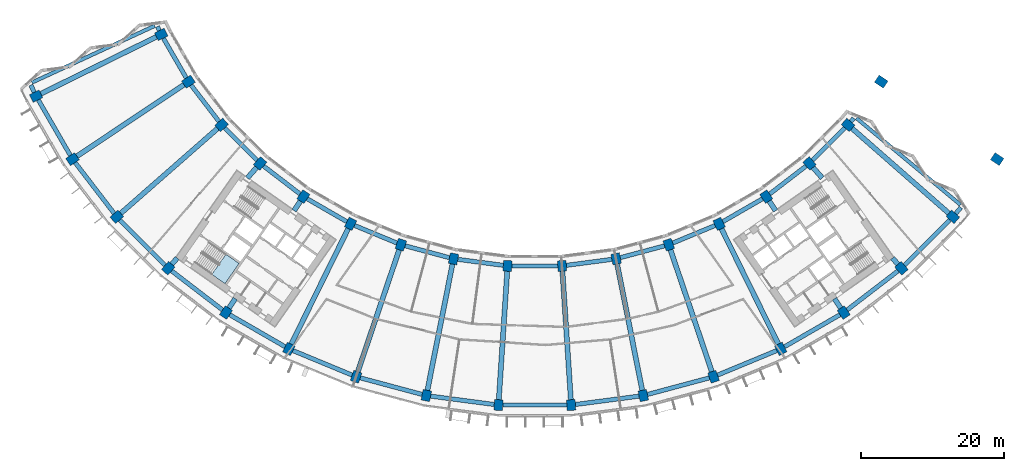
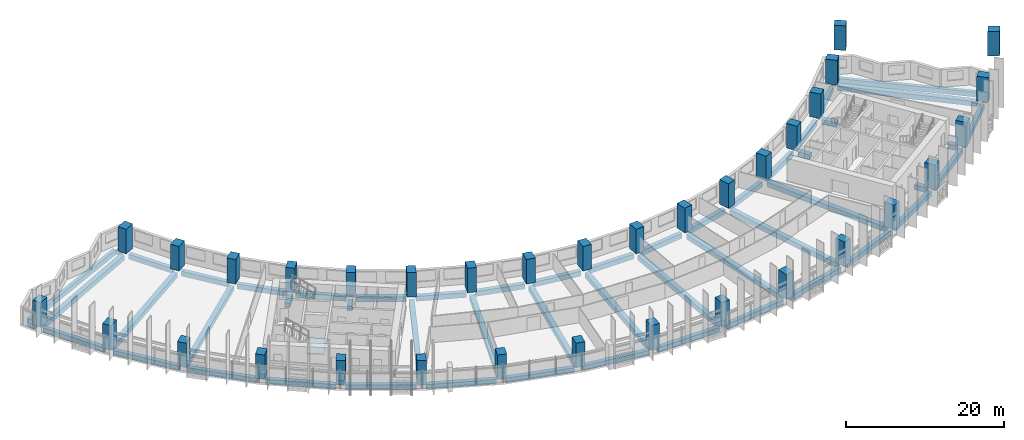
# One storey, part 1 of 30: 56 beams, 34 columns, 1 slab, 1 element without a shape of its own.
"""IFC4 building model written with IfcOpenShell, lengths in metres."""

import ifcopenshell
import ifcopenshell.guid

model = None  # the IFC model being written
_history = None  # IfcOwnerHistory: only IFC2X3 demands one
_inside = {}  # id of a spatial element -> (the spatial element, [elements in it])
_under = {}  # id of a project, library or spatial element -> (it, [spatial elements below it])
_declared = {}  # id of a project -> (the project, [libraries it declares])
_typed = {}  # id of a type object -> (the type object, [elements of that type])
_made_of = {}  # id of a material, layer set ... -> (it, [elements and type objects made of it])


def new_model(schema):
    """Start an empty IFC model of exactly this schema.

    Asked for "IFC4X3", IfcOpenShell would pick the latest addendum, in which some entities
    have other attributes; the version numbers below select the first issue.
    IFC2X3 requires an IfcOwnerHistory on every rooted entity: one is made here for all.
    """
    global model, _history
    if schema == "IFC4X3":
        model = ifcopenshell.file(schema_version=(4, 3, 0, 0))
    else:
        model = ifcopenshell.file(schema=schema)
    _inside.clear()
    _under.clear()
    _declared.clear()
    _typed.clear()
    _made_of.clear()
    _history = None
    if model.schema == "IFC2X3":
        org = make("IfcOrganization", Name="unknown")
        user = make(
            "IfcPersonAndOrganization",
            ThePerson=make("IfcPerson", FamilyName="unknown"),
            TheOrganization=org,
        )
        app = make(
            "IfcApplication",
            ApplicationDeveloper=org,
            Version="unknown",
            ApplicationFullName="unknown",
            ApplicationIdentifier="unknown",
        )
        _history = make(
            "IfcOwnerHistory",
            OwningUser=user,
            OwningApplication=app,
            ChangeAction="ADDED",
            CreationDate=0,
        )
    return model


def make(cls, **values):
    """One entity of the class cls with the attributes given. An attribute that is None is left unset."""
    return model.create_entity(
        cls, **{name: value for name, value in values.items() if value is not None}
    )


def rooted(cls, **values):
    """An entity with a GlobalId (a new one), such as an element, a storey or a relation."""
    return make(cls, GlobalId=ifcopenshell.guid.new(), OwnerHistory=_history, **values)


def si_unit(unit_type, name, prefix=None):
    """IfcSIUnit, for example si_unit("LENGTHUNIT", "METRE", prefix="MILLI")."""
    return make("IfcSIUnit", UnitType=unit_type, Prefix=prefix, Name=name)


def assignment(units):
    """IfcUnitAssignment: the units of a project."""
    return None if units is None else make("IfcUnitAssignment", Units=units)


def point(xyz):
    """IfcCartesianPoint."""
    return None if xyz is None else make("IfcCartesianPoint", Coordinates=xyz)


def direction(xyz):
    """IfcDirection."""
    return None if xyz is None else make("IfcDirection", DirectionRatios=xyz)


def frame(location, z_axis=None, x_axis=None):
    """IfcAxis2Placement3D, a coordinate frame: its origin and axes. An axis left out is left unset."""
    return make(
        "IfcAxis2Placement3D",
        Location=point(location),
        Axis=direction(z_axis),
        RefDirection=direction(x_axis),
    )


def frame_2d(location, x_axis=None):
    """IfcAxis2Placement2D, a coordinate frame in the plane: its origin and x axis."""
    return make(
        "IfcAxis2Placement2D", Location=point(location), RefDirection=direction(x_axis)
    )


def origin():
    """The frame at (0, 0, 0) with its axes left unset."""
    return frame((0.0, 0.0, 0.0))


def origin_2d():
    """The frame at (0, 0) in the plane with its x axis left unset."""
    return frame_2d((0.0, 0.0))


def place(relative_to, where):
    """IfcLocalPlacement: puts the frame where relative to a parent placement (None: the world)."""
    return make(
        "IfcLocalPlacement", PlacementRelTo=relative_to, RelativePlacement=where
    )


def context(
    kind, dimensions, precision=None, world=None, true_north=None, identifier=None
):
    """IfcGeometricRepresentationContext, for example the 3D "Model" context."""
    return make(
        "IfcGeometricRepresentationContext",
        ContextIdentifier=identifier,
        ContextType=kind,
        CoordinateSpaceDimension=dimensions,
        Precision=precision,
        WorldCoordinateSystem=world,
        TrueNorth=true_north,
    )


def subcontext(parent, identifier, kind, view, scale=None):
    """IfcGeometricRepresentationSubContext, for example "Body" below "Model"."""
    return make(
        "IfcGeometricRepresentationSubContext",
        ContextIdentifier=identifier,
        ContextType=kind,
        ParentContext=parent,
        TargetScale=scale,
        TargetView=view,
    )


def project(units=None, contexts=None):
    """IfcProject with its units and contexts."""
    return rooted(
        "IfcProject",
        Name="project",
        RepresentationContexts=contexts,
        UnitsInContext=assignment(units),
    )


def spatial(cls, under=None, at=None, **own):
    """A site, building, storey or space (cls), placed at a placement, below another one or the project."""
    s = rooted(cls, ObjectPlacement=at, **own)
    if under is not None:
        _under.setdefault(under.id(), (under, []))[1].append(s)
    return s


def polyline(points):
    """IfcPolyline through the points."""
    return make("IfcPolyline", Points=[point(p) for p in points])


def profile(cls, at=None, kind="AREA", **sizes):
    """A parametric profile (cls). Its sizes go by their IFC names, for example OverallWidth=200.0."""
    return make(cls, ProfileType=kind, Position=at, **sizes)


def rectangle(**sizes):
    """IfcRectangleProfileDef."""
    return profile("IfcRectangleProfileDef", **sizes)


def outline(outer, holes=None, kind="AREA"):
    """IfcArbitraryClosedProfileDef: a profile drawn as a closed curve; with holes, ...WithVoids."""
    if holes is None:
        return make("IfcArbitraryClosedProfileDef", ProfileType=kind, OuterCurve=outer)
    return make(
        "IfcArbitraryProfileDefWithVoids",
        ProfileType=kind,
        OuterCurve=outer,
        InnerCurves=holes,
    )


def extrude(swept, where, along, depth):
    """IfcExtrudedAreaSolid: the profile swept, set in the frame where, extruded along a direction by depth."""
    return make(
        "IfcExtrudedAreaSolid",
        SweptArea=swept,
        Position=where,
        ExtrudedDirection=direction(along),
        Depth=depth,
    )


def shape(context_of_items, identifier, shape_type, items):
    """IfcShapeRepresentation: the items that make up one representation, for example the "Body"."""
    return make(
        "IfcShapeRepresentation",
        ContextOfItems=context_of_items,
        RepresentationIdentifier=identifier,
        RepresentationType=shape_type,
        Items=items,
    )


def material(Name=None, Category=None):
    """IfcMaterial."""
    return make("IfcMaterial", Name=Name, Category=Category)


def layer(
    of_material, thickness, ventilated=None, Name=None, Category=None, Priority=None
):
    """IfcMaterialLayer: one layer of a wall or slab, of a material (None: an air gap)."""
    return make(
        "IfcMaterialLayer",
        Material=of_material,
        LayerThickness=thickness,
        IsVentilated=ventilated,
        Name=Name,
        Category=Category,
        Priority=Priority,
    )


def layer_set(layers, Name=None):
    """IfcMaterialLayerSet."""
    return make("IfcMaterialLayerSet", MaterialLayers=layers, LayerSetName=Name)


def material_profile(
    of_material, cross_section, Name=None, Category=None, Priority=None
):
    """IfcMaterialProfile: a cross section and its material."""
    return make(
        "IfcMaterialProfile",
        Name=Name,
        Material=of_material,
        Profile=cross_section,
        Priority=Priority,
        Category=Category,
    )


def profile_set(profiles, Name=None, composite=None):
    """IfcMaterialProfileSet."""
    return make(
        "IfcMaterialProfileSet",
        Name=Name,
        MaterialProfiles=profiles,
        CompositeProfile=composite,
    )


def made_of(thing, what):
    """Note that an element or type object is made of a material, layer set ...; save() writes the relation."""
    if what is not None:
        _made_of.setdefault(what.id(), (what, []))[1].append(thing)
    return thing


def type_object(cls, material=None, **own):
    """A type object (cls), such as IfcWallType, which elements share."""
    return made_of(rooted(cls, **own), material)


def element(
    cls,
    number,
    at=None,
    inside=None,
    cuts=None,
    type_object=None,
    material=None,
    context=None,
    identifier="Body",
    shape_type=None,
    held_by="IfcProductDefinitionShape",
    body=None,
    shapes=None,
    **own,
):
    """One element of the class cls, such as IfcWall. Its Tag is "e" and its number.

    at: its placement. inside: the storey or other place that contains it. cuts: it is an
    opening in that element (IfcRelVoidsElement). A single representation is given by context,
    identifier, shape_type and body (its items); several are given by shapes. held_by: the class
    of the entity that holds the representations. save() writes the other relations.
    """
    e = rooted(cls, Tag="e%d" % number, ObjectPlacement=at, **own)
    if body is not None:
        shapes = [shape(context, identifier, shape_type, body)]
    if shapes is not None:
        e.Representation = make(held_by, Representations=shapes)
    if inside is not None:
        _inside.setdefault(inside.id(), (inside, []))[1].append(e)
    if cuts is not None:
        rooted(
            "IfcRelVoidsElement", RelatingBuildingElement=cuts, RelatedOpeningElement=e
        )
    if type_object is not None:
        _typed.setdefault(type_object.id(), (type_object, []))[1].append(e)
    return made_of(e, material)


def aggregate(whole, parts):
    """IfcRelAggregates: a whole, such as a stair, and the parts it consists of."""
    return rooted("IfcRelAggregates", RelatingObject=whole, RelatedObjects=parts)


def save(model, path):
    """Write the relations noted so far, then the file.

    IfcRelAggregates (storeys below a building ...), IfcRelContainedInSpatialStructure (elements
    in a storey), IfcRelDefinesByType, IfcRelAssociatesMaterial and IfcRelDeclares: one each for
    every whole, place, type object, material and project.
    """
    for whole, parts in _under.values():
        aggregate(whole, parts)
    for where, things in _inside.values():
        rooted(
            "IfcRelContainedInSpatialStructure",
            RelatedElements=things,
            RelatingStructure=where,
        )
    for kind, things in _typed.values():
        rooted("IfcRelDefinesByType", RelatedObjects=things, RelatingType=kind)
    for what, things in _made_of.values():
        rooted("IfcRelAssociatesMaterial", RelatedObjects=things, RelatingMaterial=what)
    for by, libraries in _declared.values():
        rooted("IfcRelDeclares", RelatingContext=by, RelatedDefinitions=libraries)
    model.write(path)


model = new_model("IFC4")

# Units and contexts
model_context = context("Model", 3, precision=1e-05, world=origin(), true_north=direction((0.0, 1.0)))
body_context = subcontext(model_context, "Body", "Model", "MODEL_VIEW")
ifc_project = project(units=[si_unit("LENGTHUNIT", "METRE"), si_unit("AREAUNIT", "SQUARE_METRE"), si_unit("VOLUMEUNIT", "CUBIC_METRE"), si_unit("PLANEANGLEUNIT", "RADIAN"), si_unit("MASSUNIT", "GRAM", prefix="KILO")], contexts=[model_context])

# Site, building, storey
site_placement = place(None, origin())
site = spatial("IfcSite", under=ifc_project, at=site_placement, CompositionType="ELEMENT")
building_placement = place(site_placement, origin())
building = spatial("IfcBuilding", under=site, at=building_placement, Name="Qamariyya Broadcast Tower", CompositionType="ELEMENT")
storey_placement = place(building_placement, frame((0.0, 0.0, 102.5)))
storey = spatial("IfcBuildingStorey", under=building, at=storey_placement, Name="L22", CompositionType="ELEMENT", Elevation=102.5)

# Columns
ifc_material_1 = material(Name="Concrete C70/85", Category="concrete")
ifc_material_profile_1 = material_profile(ifc_material_1, rectangle(XDim=1.199951171875, YDim=1.5, at=origin_2d()))
ifc_profile_set_1 = profile_set([ifc_material_profile_1], Name="Concrete C70/85")
column_type = type_object("IfcColumnType", Name="RC column 1200 x 1500 C70/85", PredefinedType="COLUMN", material=ifc_profile_set_1)
for number, where, z_axis, x_axis, name in (
    (1, (-52.242919921875, -25.763427734375, 0.0), (0.0, 0.0, 1.0), (0.442288690219, -0.896872741533, 0.0), "Column C7 L22 B-R02"),
    (2, (-69.73193359375, -34.387939453125, 0.0), (0.0, 0.0, 1.0), (0.442288690219, -0.896872741533, 0.0), "Column C7 L22 C-R02"),
    (3, (-48.43310546875, -32.362060546875, 0.0), (0.0, 0.0, 1.0), (0.55557023302, -0.831469612303, 0.0), "Column C7 L22 B-R03"),
    (4, (-64.646728515625, -43.195556640625, 0.0), (0.0, 0.0, 1.0), (0.55557023302, -0.831469612303, 0.0), "Column C7 L22 C-R03"),
    (5, (-43.794677734375, -38.406982421875, 0.0), (0.0, 0.0, 1.0), (0.6593458151, -0.751839807479, 0.0), "Column C7 L22 B-R04"),
    (6, (-58.45556640625, -51.26416015625, 0.0), (0.0, 0.0, 1.0), (0.6593458151, -0.751839807479, 0.0), "Column C7 L22 C-R04"),
    (7, (-38.406982421875, -43.794677734375, 0.0), (0.0, 0.0, 1.0), (0.751839807479, -0.6593458151, 0.0), "Column C7 L22 B-R05"),
    (8, (-51.26416015625, -58.45556640625, 0.0), (0.0, 0.0, 1.0), (0.751839807479, -0.6593458151, 0.0), "Column C7 L22 C-R05"),
    (9, (-32.362060546875, -48.43310546875, 0.0), (0.0, 0.0, 1.0), (0.831469612303, -0.55557023302, 0.0), "Column C7 L22 B-R06"),
    (10, (-43.195556640625, -64.646728515625, 0.0), (0.0, 0.0, 1.0), (0.831469612303, -0.55557023302, 0.0), "Column C7 L22 C-R06"),
    (11, (-25.763427734375, -52.242919921875, 0.0), (0.0, 0.0, 1.0), (0.896872741533, -0.442288690219, 0.0), "Column C7 L22 B-R07"),
    (12, (-34.387939453125, -69.73193359375, 0.0), (0.0, 0.0, 1.0), (0.896872741533, -0.442288690219, 0.0), "Column C7 L22 C-R07"),
    (13, (-18.723876953125, -55.15869140625, 0.0), (0.0, 0.0, 1.0), (0.946930129495, -0.321439465303, 0.0), "Column C7 L22 B-R08"),
    (14, (-24.991943359375, -73.623779296875, 0.0), (0.0, 0.0, 1.0), (0.946930129495, -0.321439465303, 0.0), "Column C7 L22 C-R08"),
    (15, (-11.364013671875, -57.130859375, 0.0), (0.0, 0.0, 1.0), (0.980785280403, -0.195090322016, 0.0), "Column C7 L22 B-R09"),
    (16, (-15.168212890625, -76.256103515625, 0.0), (0.0, 0.0, 1.0), (0.980785280403, -0.195090322016, 0.0), "Column C7 L22 C-R09"),
    (17, (-3.809814453125, -58.125244140625, 0.0), (0.0, 0.0, 1.0), (0.997858923239, -0.06540312923, 0.0), "Column C7 L22 B-R10"),
    (18, (-5.085205078125, -77.58349609375, 0.0), (0.0, 0.0, 1.0), (0.997858923239, -0.06540312923, 0.0), "Column C7 L22 C-R10"),
    (19, (3.809814453125, -58.125244140625, 0.0), (0.0, 0.0, 1.0), (0.997858923239, 0.06540312923, 0.0), "Column C7 L22 B-R11"),
    (20, (5.085205078125, -77.58349609375, 0.0), (0.0, 0.0, 1.0), (0.997858923239, 0.06540312923, 0.0), "Column C7 L22 C-R11"),
    (21, (11.364013671875, -57.130859375, 0.0), (0.0, 0.0, 1.0), (0.980785280403, 0.195090322016, 0.0), "Column C7 L22 B-R12"),
    (22, (15.168212890625, -76.256103515625, 0.0), (0.0, 0.0, 1.0), (0.980785280403, 0.195090322016, 0.0), "Column C7 L22 C-R12"),
    (23, (18.723876953125, -55.15869140625, 0.0), (0.0, 0.0, 1.0), (0.946930129495, 0.321439465303, 0.0), "Column C7 L22 B-R13"),
    (24, (24.991943359375, -73.623779296875, 0.0), (0.0, 0.0, 1.0), (0.946930129495, 0.321439465303, 0.0), "Column C7 L22 C-R13"),
    (25, (25.763427734375, -52.242919921875, 0.0), (0.0, 0.0, 1.0), (0.896872741533, 0.442288690219, 0.0), "Column C7 L22 B-R14"),
    (26, (34.387939453125, -69.73193359375, 0.0), (0.0, 0.0, 1.0), (0.896872741533, 0.442288690219, 0.0), "Column C7 L22 C-R14"),
    (27, (32.362060546875, -48.43310546875, 0.0), (0.0, 0.0, 1.0), (0.831469612303, 0.55557023302, 0.0), "Column C7 L22 B-R15"),
    (28, (43.195556640625, -64.646728515625, 0.0), (0.0, 0.0, 1.0), (0.831469612303, 0.55557023302, 0.0), "Column C7 L22 C-R15"),
    (29, (38.406982421875, -43.794677734375, 0.0), (0.0, 0.0, 1.0), (0.751839807479, 0.6593458151, 0.0), "Column C7 L22 B-R16"),
    (30, (51.26416015625, -58.45556640625, 0.0), (0.0, 0.0, 1.0), (0.751839807479, 0.6593458151, 0.0), "Column C7 L22 C-R16"),
    (31, (43.794677734375, -38.406982421875, 0.0), (0.0, 0.0, 1.0), (0.6593458151, 0.751839807479, 0.0), "Column C7 L22 B-R17"),
    (32, (58.45556640625, -51.26416015625, 0.0), (0.0, 0.0, 1.0), (0.6593458151, 0.751839807479, 0.0), "Column C7 L22 C-R17"),
    (33, (48.43310546875, -32.362060546875, 0.0), (0.0, 0.0, 1.0), (0.55557023302, 0.831469612303, 0.0), "Column C7 L22 B-R18"),
    (34, (64.646728515625, -43.195556640625, 0.0), (0.0, 0.0, 1.0), (0.55557023302, 0.831469612303, 0.0), "Column C7 L22 C-R18"),
):
    element("IfcColumn", number, at=place(storey_placement, frame(where, z_axis=z_axis, x_axis=x_axis)), inside=storey, type_object=column_type, Name=name, PredefinedType="COLUMN", context=body_context, shape_type="SweptSolid", body=[
        extrude(rectangle(XDim=1.199951171875, YDim=1.5, at=origin_2d()), origin(), (0.0, 0.0, 1.0), 3.800048828125),
    ])

# Beams
ifc_material_2 = material(Name="Concrete C50/60", Category="concrete")
ifc_material_profile_2 = material_profile(ifc_material_2, rectangle(XDim=0.60009765625, YDim=0.75, at=origin_2d()))
ifc_profile_set_2 = profile_set([ifc_material_profile_2], Name="Concrete C50/60")
beam_type_1 = type_object("IfcBeamType", Name="RC edge beam 600 x 750 C50/60", PredefinedType="SPANDREL", material=ifc_profile_set_2)
for number, where, z_axis, x_axis, name in (
    (35, (-51.942138671875, -26.283935546875, -0.675048828125), (0.49999360328, -0.866029096901, 0.0), (0.866029096901, 0.49999360328, 0.0), "Edge beam B15 L22 B R02-R03"),
    (36, (-48.067138671875, -32.839111328125, -0.675048828125), (0.608778135192, -0.793340520906, 0.0), (0.793340520906, 0.608778135192, 0.0), "Edge beam B15 L22 B R03-R04"),
):
    element("IfcBeam", number, at=place(storey_placement, frame(where, z_axis=z_axis, x_axis=x_axis)), inside=storey, type_object=beam_type_1, Name=name, PredefinedType="SPANDREL", context=body_context, shape_type="SweptSolid", body=[
        extrude(rectangle(XDim=0.60009765625, YDim=0.75, at=origin_2d()), origin(), (0.0, 0.0, 1.0), 6.4169921875),
    ])
beam_1_placement = place(storey_placement, frame((-43.369384765625, -38.83203125, -0.675048828125), z_axis=(0.707106781187, -0.707106781187, 0.0), x_axis=(0.707106781187, 0.707106781187, 0.0)))
element("IfcBeam", 37, at=beam_1_placement, inside=storey, type_object=beam_type_1, Name="Edge beam B15 L22 B R04-R05", PredefinedType="SPANDREL", context=body_context, shape_type="SweptSolid", body=[
    extrude(rectangle(XDim=0.60009765625, YDim=0.75, at=origin_2d()), origin(), (0.0, 0.0, 1.0), 6.416748046875),
])
for number, where, z_axis, x_axis, name in (
    (38, (-37.929931640625, -44.16064453125, -0.675048828125), (0.793340520906, -0.608778135192, 0.0), (0.608778135192, 0.793340520906, 0.0), "Edge beam B15 L22 B R05-R06"),
    (39, (-31.84130859375, -48.733642578125, -0.675048828125), (0.866029096901, -0.49999360328, 0.0), (0.49999360328, 0.866029096901, 0.0), "Edge beam B15 L22 B R06-R07"),
    (40, (-25.207763671875, -52.472900390625, -0.675048828125), (0.923884212686, -0.382672133229, 0.0), (0.382672133229, 0.923884212686, 0.0), "Edge beam B15 L22 B R07-R08"),
    (41, (-18.14306640625, -55.314208984375, -0.675048828125), (0.965922916603, -0.258829903956, 0.0), (0.258829903956, 0.965922916603, 0.0), "Edge beam B15 L22 B R08-R09"),
    (42, (-10.767822265625, -57.209228515625, -0.675048828125), (0.991443543958, -0.1305361986, 0.0), (0.1305361986, 0.991443543958, 0.0), "Edge beam B15 L22 B R09-R10"),
    (43, (-3.20849609375, -58.125244140625, -0.675048828125), (1.0, 0.0, 0.0), (0.0, 1.0, 0.0), "Edge beam B15 L22 B R10-R11"),
    (44, (4.40576171875, -58.046875, -0.675048828125), (0.991443543958, 0.1305361986, 0.0), (-0.1305361986, 0.991443543958, 0.0), "Edge beam B15 L22 B R11-R12"),
    (45, (11.94482421875, -56.97509765625, -0.675048828125), (0.965922916603, 0.258829903956, 0.0), (-0.258829903956, 0.965922916603, 0.0), "Edge beam B15 L22 B R12-R13"),
    (46, (19.279296875, -54.928466796875, -0.675048828125), (0.923884212686, 0.382672133229, 0.0), (-0.382672133229, 0.923884212686, 0.0), "Edge beam B15 L22 B R13-R14"),
    (47, (26.283935546875, -51.942138671875, -0.675048828125), (0.866029096901, 0.49999360328, 0.0), (-0.49999360328, 0.866029096901, 0.0), "Edge beam B15 L22 B R14-R15"),
    (48, (32.839111328125, -48.067138671875, -0.675048828125), (0.793340520906, 0.608778135192, 0.0), (-0.608778135192, 0.793340520906, 0.0), "Edge beam B15 L22 B R15-R16"),
):
    element("IfcBeam", number, at=place(storey_placement, frame(where, z_axis=z_axis, x_axis=x_axis)), inside=storey, type_object=beam_type_1, Name=name, PredefinedType="SPANDREL", context=body_context, shape_type="SweptSolid", body=[
        extrude(rectangle(XDim=0.60009765625, YDim=0.75, at=origin_2d()), origin(), (0.0, 0.0, 1.0), 6.4169921875),
    ])
beam_2_placement = place(storey_placement, frame((38.83203125, -43.369384765625, -0.675048828125), z_axis=(0.707106781187, 0.707106781187, 0.0), x_axis=(-0.707106781187, 0.707106781187, 0.0)))
element("IfcBeam", 49, at=beam_2_placement, inside=storey, type_object=beam_type_1, Name="Edge beam B15 L22 B R16-R17", PredefinedType="SPANDREL", context=body_context, shape_type="SweptSolid", body=[
    extrude(rectangle(XDim=0.60009765625, YDim=0.75, at=origin_2d()), origin(), (0.0, 0.0, 1.0), 6.416748046875),
])
beam_3_placement = place(storey_placement, frame((-69.43115234375, -34.90869140625, -0.675048828125), z_axis=(0.499989544228, -0.866031440343, 0.0), x_axis=(0.866031440343, 0.499989544228, 0.0)))
element("IfcBeam", 50, at=beam_3_placement, inside=storey, type_object=beam_type_1, Name="Edge beam B15 L22 C R02-R03", PredefinedType="SPANDREL", context=body_context, shape_type="SweptSolid", body=[
    extrude(rectangle(XDim=0.60009765625, YDim=0.75, at=origin_2d()), origin(), (0.0, 0.0, 1.0), 8.967529296875),
])
beam_4_placement = place(storey_placement, frame((-64.28076171875, -43.672607421875, -0.675048828125), z_axis=(0.608766985019, -0.793349076984, 0.0), x_axis=(0.793349076984, 0.608766985019, 0.0)))
element("IfcBeam", 51, at=beam_4_placement, inside=storey, type_object=beam_type_1, Name="Edge beam B15 L22 C R03-R04", PredefinedType="SPANDREL", context=body_context, shape_type="SweptSolid", body=[
    extrude(rectangle(XDim=0.60009765625, YDim=0.75, at=origin_2d()), origin(), (0.0, 0.0, 1.0), 8.9677734375),
])
beam_5_placement = place(storey_placement, frame((-58.0302734375, -51.689208984375, -0.675048828125), z_axis=(0.707106781187, -0.707106781187, 0.0), x_axis=(0.707106781187, 0.707106781187, 0.0)))
element("IfcBeam", 52, at=beam_5_placement, inside=storey, type_object=beam_type_1, Name="Edge beam B15 L22 C R04-R05", PredefinedType="SPANDREL", context=body_context, shape_type="SweptSolid", body=[
    extrude(rectangle(XDim=0.60009765625, YDim=0.75, at=origin_2d()), origin(), (0.0, 0.0, 1.0), 8.967529296875),
])
beam_6_placement = place(storey_placement, frame((-50.787109375, -58.821533203125, -0.675048828125), z_axis=(0.793349076984, -0.608766985019, 0.0), x_axis=(0.608766985019, 0.793349076984, 0.0)))
element("IfcBeam", 53, at=beam_6_placement, inside=storey, type_object=beam_type_1, Name="Edge beam B15 L22 C R05-R06", PredefinedType="SPANDREL", context=body_context, shape_type="SweptSolid", body=[
    extrude(rectangle(XDim=0.60009765625, YDim=0.75, at=origin_2d()), origin(), (0.0, 0.0, 1.0), 8.9677734375),
])
beam_7_placement = place(storey_placement, frame((-42.6748046875, -64.947509765625, -0.675048828125), z_axis=(0.866031440343, -0.499989544228, 0.0), x_axis=(0.499989544228, 0.866031440343, 0.0)))
element("IfcBeam", 54, at=beam_7_placement, inside=storey, type_object=beam_type_1, Name="Edge beam B15 L22 C R06-R07", PredefinedType="SPANDREL", context=body_context, shape_type="SweptSolid", body=[
    extrude(rectangle(XDim=0.60009765625, YDim=0.75, at=origin_2d()), origin(), (0.0, 0.0, 1.0), 8.967529296875),
])
beam_8_placement = place(storey_placement, frame((-33.83251953125, -69.9619140625, -0.675048828125), z_axis=(0.923877140182, -0.382689207907, 0.0), x_axis=(0.382689207907, 0.923877140182, 0.0)))
element("IfcBeam", 55, at=beam_8_placement, inside=storey, type_object=beam_type_1, Name="Edge beam B15 L22 C R07-R08", PredefinedType="SPANDREL", context=body_context, shape_type="SweptSolid", body=[
    extrude(rectangle(XDim=0.60009765625, YDim=0.75, at=origin_2d()), origin(), (0.0, 0.0, 1.0), 8.9677734375),
])
for number, where, z_axis, x_axis, name in (
    (56, (-24.4111328125, -73.779541015625, -0.675048828125), (0.965931525183, -0.258797775603, 0.0), (0.258797775603, 0.965931525183, 0.0), "Edge beam B15 L22 C R08-R09"),
    (57, (-14.572021484375, -76.33447265625, -0.675048828125), (0.991442708618, -0.130542542983, 0.0), (0.130542542983, 0.991442708618, 0.0), "Edge beam B15 L22 C R09-R10"),
):
    element("IfcBeam", number, at=place(storey_placement, frame(where, z_axis=z_axis, x_axis=x_axis)), inside=storey, type_object=beam_type_1, Name=name, PredefinedType="SPANDREL", context=body_context, shape_type="SweptSolid", body=[
        extrude(rectangle(XDim=0.60009765625, YDim=0.75, at=origin_2d()), origin(), (0.0, 0.0, 1.0), 8.967529296875),
    ])
beam_9_placement = place(storey_placement, frame((-4.48388671875, -77.58349609375, -0.675048828125), z_axis=(1.0, 0.0, 0.0), x_axis=(0.0, 1.0, 0.0)))
element("IfcBeam", 58, at=beam_9_placement, inside=storey, type_object=beam_type_1, Name="Edge beam B15 L22 C R10-R11", PredefinedType="SPANDREL", context=body_context, shape_type="SweptSolid", body=[
    extrude(rectangle(XDim=0.60009765625, YDim=0.75, at=origin_2d()), origin(), (0.0, 0.0, 1.0), 8.9677734375),
])
for number, where, z_axis, x_axis, name in (
    (59, (5.68115234375, -77.505126953125, -0.675048828125), (0.991442708618, 0.130542542983, 0.0), (-0.130542542983, 0.991442708618, 0.0), "Edge beam B15 L22 C R11-R12"),
    (60, (15.7490234375, -76.100341796875, -0.675048828125), (0.965931525183, 0.258797775603, 0.0), (-0.258797775603, 0.965931525183, 0.0), "Edge beam B15 L22 C R12-R13"),
):
    element("IfcBeam", number, at=place(storey_placement, frame(where, z_axis=z_axis, x_axis=x_axis)), inside=storey, type_object=beam_type_1, Name=name, PredefinedType="SPANDREL", context=body_context, shape_type="SweptSolid", body=[
        extrude(rectangle(XDim=0.60009765625, YDim=0.75, at=origin_2d()), origin(), (0.0, 0.0, 1.0), 8.967529296875),
    ])
beam_10_placement = place(storey_placement, frame((25.54736328125, -73.393798828125, -0.675048828125), z_axis=(0.923877140182, 0.382689207907, 0.0), x_axis=(-0.382689207907, 0.923877140182, 0.0)))
element("IfcBeam", 61, at=beam_10_placement, inside=storey, type_object=beam_type_1, Name="Edge beam B15 L22 C R13-R14", PredefinedType="SPANDREL", context=body_context, shape_type="SweptSolid", body=[
    extrude(rectangle(XDim=0.60009765625, YDim=0.75, at=origin_2d()), origin(), (0.0, 0.0, 1.0), 8.9677734375),
])
beam_11_placement = place(storey_placement, frame((34.90869140625, -69.43115234375, -0.675048828125), z_axis=(0.866031440343, 0.499989544228, 0.0), x_axis=(-0.499989544228, 0.866031440343, 0.0)))
element("IfcBeam", 62, at=beam_11_placement, inside=storey, type_object=beam_type_1, Name="Edge beam B15 L22 C R14-R15", PredefinedType="SPANDREL", context=body_context, shape_type="SweptSolid", body=[
    extrude(rectangle(XDim=0.60009765625, YDim=0.75, at=origin_2d()), origin(), (0.0, 0.0, 1.0), 8.967529296875),
])
beam_12_placement = place(storey_placement, frame((43.672607421875, -64.28076171875, -0.675048828125), z_axis=(0.793349076984, 0.608766985019, 0.0), x_axis=(-0.608766985019, 0.793349076984, 0.0)))
element("IfcBeam", 63, at=beam_12_placement, inside=storey, type_object=beam_type_1, Name="Edge beam B15 L22 C R15-R16", PredefinedType="SPANDREL", context=body_context, shape_type="SweptSolid", body=[
    extrude(rectangle(XDim=0.60009765625, YDim=0.75, at=origin_2d()), origin(), (0.0, 0.0, 1.0), 8.9677734375),
])
beam_13_placement = place(storey_placement, frame((51.689208984375, -58.0302734375, -0.675048828125), z_axis=(0.707106781187, 0.707106781187, 0.0), x_axis=(-0.707106781187, 0.707106781187, 0.0)))
element("IfcBeam", 64, at=beam_13_placement, inside=storey, type_object=beam_type_1, Name="Edge beam B15 L22 C R16-R17", PredefinedType="SPANDREL", context=body_context, shape_type="SweptSolid", body=[
    extrude(rectangle(XDim=0.60009765625, YDim=0.75, at=origin_2d()), origin(), (0.0, 0.0, 1.0), 8.967529296875),
])
ifc_material_profile_3 = material_profile(ifc_material_2, rectangle(XDim=0.60009765625, YDim=0.75, at=origin_2d()))
ifc_profile_set_3 = profile_set([ifc_material_profile_3], Name="Concrete C50/60")
beam_type_2 = type_object("IfcBeamType", Name="RC horn beam 600 x 750 C50/60", PredefinedType="BEAM", material=ifc_profile_set_3)
beam_14_placement = place(storey_placement, frame((-52.50146484375, -25.221923828125, -0.675048828125), z_axis=(-0.43062868162, 0.902529189869, 0.0), x_axis=(-0.902529189869, -0.43062868162, 0.0)))
element("IfcBeam", 65, at=beam_14_placement, inside=storey, type_object=beam_type_2, Name="Horn beam B14 L22 W B-R02", PredefinedType="BEAM", context=body_context, shape_type="SweptSolid", body=[
    extrude(rectangle(XDim=0.60009765625, YDim=0.75, at=origin_2d()), origin(), (0.0, 0.0, 1.0), 0.626953125),
])
beam_15_placement = place(storey_placement, frame((-69.990478515625, -33.846435546875, -0.675048828125), z_axis=(-0.430854513037, 0.902421403002, 0.0), x_axis=(-0.902421403002, -0.430854513037, 0.0)))
element("IfcBeam", 66, at=beam_15_placement, inside=storey, type_object=beam_type_2, Name="Horn beam B14 L22 W C-R02", PredefinedType="BEAM", context=body_context, shape_type="SweptSolid", body=[
    extrude(rectangle(XDim=0.60009765625, YDim=0.75, at=origin_2d()), origin(), (0.0, 0.0, 1.0), 1.121337890625),
])
beam_16_placement = place(storey_placement, frame((44.1845703125, -37.95068359375, -0.675048828125), z_axis=(0.649828345574, 0.760080996532, 0.0), x_axis=(-0.760080996532, 0.649828345574, 0.0)))
element("IfcBeam", 67, at=beam_16_placement, inside=storey, type_object=beam_type_2, Name="Horn beam B14 L22 E B-R17", PredefinedType="BEAM", context=body_context, shape_type="SweptSolid", body=[
    extrude(rectangle(XDim=0.60009765625, YDim=0.75, at=origin_2d()), origin(), (0.0, 0.0, 1.0), 0.626708984375),
])
beam_17_placement = place(storey_placement, frame((58.845458984375, -50.80810546875, -0.675048828125), z_axis=(0.649643176609, 0.760239266997, 0.0), x_axis=(-0.760239266997, 0.649643176609, 0.0)))
element("IfcBeam", 68, at=beam_17_placement, inside=storey, type_object=beam_type_2, Name="Horn beam B14 L22 E C-R17", PredefinedType="BEAM", context=body_context, shape_type="SweptSolid", body=[
    extrude(rectangle(XDim=0.60009765625, YDim=0.75, at=origin_2d()), origin(), (0.0, 0.0, 1.0), 1.121337890625),
])
ifc_material_profile_4 = material_profile(ifc_material_2, rectangle(XDim=0.5, YDim=0.75, at=origin_2d()))
ifc_profile_set_4 = profile_set([ifc_material_profile_4], Name="Concrete C50/60")
beam_type_3 = type_object("IfcBeamType", Name="RC horn cap beam 500 x 750 C50/60", PredefinedType="BEAM", material=ifc_profile_set_4)
for number, where, z_axis, x_axis, name in (
    (69, (-53.151611328125, -24.556396484375, -0.675048828125), (-0.907797500196, -0.419408748881, 0.0), (0.419408748881, -0.907797500196, 0.0), "Horn cap beam B17 L22 W B-C"),
    (70, (44.98486328125, -37.476318359375, -0.675048828125), (0.768310212712, -0.640077664852, 0.0), (0.640077664852, 0.768310212712, 0.0), "Horn cap beam B17 L22 E B-C"),
):
    element("IfcBeam", number, at=place(storey_placement, frame(where, z_axis=z_axis, x_axis=x_axis)), inside=storey, type_object=beam_type_3, Name=name, PredefinedType="BEAM", context=body_context, shape_type="SweptSolid", body=[
        extrude(rectangle(XDim=0.5, YDim=0.75, at=origin_2d()), origin(), (0.0, 0.0, 1.0), 18.89990234375),
    ])
ifc_material_profile_5 = material_profile(ifc_material_2, rectangle(XDim=0.699951171875, YDim=0.75, at=origin_2d()))
ifc_profile_set_5 = profile_set([ifc_material_profile_5], Name="Concrete C50/60")
beam_type_4 = type_object("IfcBeamType", Name="RC radial beam 700 x 750 C50/60", PredefinedType="BEAM", material=ifc_profile_set_5)
beam_18_placement = place(storey_placement, frame((-52.91552734375, -26.094970703125, -0.675048828125), z_axis=(-0.896871386501, -0.442291437941, 0.0), x_axis=(0.442291437941, -0.896871386501, 0.0)))
element("IfcBeam", 71, at=beam_18_placement, inside=storey, type_object=beam_type_4, Name="Radial beam B13 L22 R02 B-C", PredefinedType="BEAM", context=body_context, shape_type="SweptSolid", body=[
    extrude(rectangle(XDim=0.699951171875, YDim=0.75, at=origin_2d()), origin(), (0.0, 0.0, 1.0), 17.999755859375),
])
beam_19_placement = place(storey_placement, frame((-49.056640625, -32.778564453125, -0.675048828125), z_axis=(-0.831471836778, -0.555566903843, 0.0), x_axis=(0.555566903843, -0.831471836778, 0.0)))
element("IfcBeam", 72, at=beam_19_placement, inside=storey, type_object=beam_type_4, Name="Radial beam B13 L22 R03 B-C", PredefinedType="BEAM", context=body_context, shape_type="SweptSolid", body=[
    extrude(rectangle(XDim=0.699951171875, YDim=0.75, at=origin_2d()), origin(), (0.0, 0.0, 1.0), 18.0),
])
beam_20_placement = place(storey_placement, frame((-44.358642578125, -38.9013671875, -0.675048828125), z_axis=(-0.751837671483, -0.659348250729, 0.0), x_axis=(0.659348250729, -0.751837671483, 0.0)))
element("IfcBeam", 73, at=beam_20_placement, inside=storey, type_object=beam_type_4, Name="Radial beam B13 L22 R04 B-C", PredefinedType="BEAM", context=body_context, shape_type="SweptSolid", body=[
    extrude(rectangle(XDim=0.699951171875, YDim=0.75, at=origin_2d()), origin(), (0.0, 0.0, 1.0), 17.999755859375),
])
beam_21_placement = place(storey_placement, frame((-38.9013671875, -44.358642578125, -0.675048828125), z_axis=(-0.659376140982, -0.751813211312, 0.0), x_axis=(0.751813211312, -0.659376140982, 0.0)))
element("IfcBeam", 74, at=beam_21_placement, inside=storey, type_object=beam_type_4, Name="Radial beam B13 L22 R05 B-C", PredefinedType="BEAM", context=body_context, shape_type="SweptSolid", body=[
    extrude(rectangle(XDim=0.699951171875, YDim=0.75, at=origin_2d()), origin(), (0.0, 0.0, 1.0), 1.96240234375),
])
beam_22_placement = place(storey_placement, frame((-50.011962890625, -57.027587890625, -0.675048828125), z_axis=(-0.659271387296, -0.751905072395, 0.0), x_axis=(0.751905072395, -0.659271387296, 0.0)))
element("IfcBeam", 75, at=beam_22_placement, inside=storey, type_object=beam_type_4, Name="Radial beam B13 L22 R05 B-C", PredefinedType="BEAM", context=body_context, shape_type="SweptSolid", body=[
    extrude(rectangle(XDim=0.699951171875, YDim=0.75, at=origin_2d()), origin(), (0.0, 0.0, 1.0), 1.149169921875),
])
beam_23_placement = place(storey_placement, frame((-32.778564453125, -49.056640625, -0.675048828125), z_axis=(-0.555537373717, -0.831491567248, 0.0), x_axis=(0.831491567248, -0.555537373717, 0.0)))
element("IfcBeam", 76, at=beam_23_placement, inside=storey, type_object=beam_type_4, Name="Radial beam B13 L22 R06 B-C", PredefinedType="BEAM", context=body_context, shape_type="SweptSolid", body=[
    extrude(rectangle(XDim=0.699951171875, YDim=0.75, at=origin_2d()), origin(), (0.0, 0.0, 1.0), 1.614501953125),
])
beam_24_placement = place(storey_placement, frame((-41.89990234375, -62.707763671875, -0.675048828125), z_axis=(-0.555554602959, -0.831480055762, 0.0), x_axis=(0.831480055762, -0.555554602959, 0.0)))
element("IfcBeam", 77, at=beam_24_placement, inside=storey, type_object=beam_type_4, Name="Radial beam B13 L22 R06 B-C", PredefinedType="BEAM", context=body_context, shape_type="SweptSolid", body=[
    extrude(rectangle(XDim=0.699951171875, YDim=0.75, at=origin_2d()), origin(), (0.0, 0.0, 1.0), 1.58203125),
])
beam_25_placement = place(storey_placement, frame((-26.094970703125, -52.91552734375, -0.675048828125), z_axis=(-0.442291437941, -0.896871386501, 0.0), x_axis=(0.896871386501, -0.442291437941, 0.0)))
element("IfcBeam", 78, at=beam_25_placement, inside=storey, type_object=beam_type_4, Name="Radial beam B13 L22 R07 B-C", PredefinedType="BEAM", context=body_context, shape_type="SweptSolid", body=[
    extrude(rectangle(XDim=0.699951171875, YDim=0.75, at=origin_2d()), origin(), (0.0, 0.0, 1.0), 17.999755859375),
])
beam_26_placement = place(storey_placement, frame((-18.96484375, -55.868896484375, -0.675048828125), z_axis=(-0.321439476461, -0.946930125707, 0.0), x_axis=(0.946930125707, -0.321439476461, 0.0)))
element("IfcBeam", 79, at=beam_26_placement, inside=storey, type_object=beam_type_4, Name="Radial beam B13 L22 R08 B-C", PredefinedType="BEAM", context=body_context, shape_type="SweptSolid", body=[
    extrude(rectangle(XDim=0.699951171875, YDim=0.75, at=origin_2d()), origin(), (0.0, 0.0, 1.0), 18.0),
])
beam_27_placement = place(storey_placement, frame((-11.51025390625, -57.8662109375, -0.675048828125), z_axis=(-0.195093569287, -0.980784634475, 0.0), x_axis=(0.980784634475, -0.195093569287, 0.0)))
element("IfcBeam", 80, at=beam_27_placement, inside=storey, type_object=beam_type_4, Name="Radial beam B13 L22 R09 B-C", PredefinedType="BEAM", context=body_context, shape_type="SweptSolid", body=[
    extrude(rectangle(XDim=0.699951171875, YDim=0.75, at=origin_2d()), origin(), (0.0, 0.0, 1.0), 18.000244140625),
])
for number, where, z_axis, x_axis, name in (
    (81, (-3.85888671875, -58.873779296875, -0.675048828125), (-0.065402689504, -0.99785895206, 0.0), (0.99785895206, -0.065402689504, 0.0), "Radial beam B13 L22 R10 B-C"),
    (82, (3.85888671875, -58.873779296875, -0.675048828125), (0.065402689504, -0.99785895206, 0.0), (0.99785895206, 0.065402689504, 0.0), "Radial beam B13 L22 R11 B-C"),
):
    element("IfcBeam", number, at=place(storey_placement, frame(where, z_axis=z_axis, x_axis=x_axis)), inside=storey, type_object=beam_type_4, Name=name, PredefinedType="BEAM", context=body_context, shape_type="SweptSolid", body=[
        extrude(rectangle(XDim=0.699951171875, YDim=0.75, at=origin_2d()), origin(), (0.0, 0.0, 1.0), 18.0),
    ])
beam_28_placement = place(storey_placement, frame((11.51025390625, -57.8662109375, -0.675048828125), z_axis=(0.195093569287, -0.980784634475, 0.0), x_axis=(0.980784634475, 0.195093569287, 0.0)))
element("IfcBeam", 83, at=beam_28_placement, inside=storey, type_object=beam_type_4, Name="Radial beam B13 L22 R12 B-C", PredefinedType="BEAM", context=body_context, shape_type="SweptSolid", body=[
    extrude(rectangle(XDim=0.699951171875, YDim=0.75, at=origin_2d()), origin(), (0.0, 0.0, 1.0), 18.000244140625),
])
beam_29_placement = place(storey_placement, frame((18.96484375, -55.868896484375, -0.675048828125), z_axis=(0.321439476461, -0.946930125707, 0.0), x_axis=(0.946930125707, 0.321439476461, 0.0)))
element("IfcBeam", 84, at=beam_29_placement, inside=storey, type_object=beam_type_4, Name="Radial beam B13 L22 R13 B-C", PredefinedType="BEAM", context=body_context, shape_type="SweptSolid", body=[
    extrude(rectangle(XDim=0.699951171875, YDim=0.75, at=origin_2d()), origin(), (0.0, 0.0, 1.0), 18.0),
])
beam_30_placement = place(storey_placement, frame((26.094970703125, -52.91552734375, -0.675048828125), z_axis=(0.442291437941, -0.896871386501, 0.0), x_axis=(0.896871386501, 0.442291437941, 0.0)))
element("IfcBeam", 85, at=beam_30_placement, inside=storey, type_object=beam_type_4, Name="Radial beam B13 L22 R14 B-C", PredefinedType="BEAM", context=body_context, shape_type="SweptSolid", body=[
    extrude(rectangle(XDim=0.699951171875, YDim=0.75, at=origin_2d()), origin(), (0.0, 0.0, 1.0), 17.999755859375),
])
beam_31_placement = place(storey_placement, frame((32.778564453125, -49.056640625, -0.675048828125), z_axis=(0.555537373717, -0.831491567248, 0.0), x_axis=(0.831491567248, 0.555537373717, 0.0)))
element("IfcBeam", 86, at=beam_31_placement, inside=storey, type_object=beam_type_4, Name="Radial beam B13 L22 R15 B-C", PredefinedType="BEAM", context=body_context, shape_type="SweptSolid", body=[
    extrude(rectangle(XDim=0.699951171875, YDim=0.75, at=origin_2d()), origin(), (0.0, 0.0, 1.0), 1.614501953125),
])
beam_32_placement = place(storey_placement, frame((41.89990234375, -62.707763671875, -0.675048828125), z_axis=(0.555554602959, -0.831480055762, 0.0), x_axis=(0.831480055762, 0.555554602959, 0.0)))
element("IfcBeam", 87, at=beam_32_placement, inside=storey, type_object=beam_type_4, Name="Radial beam B13 L22 R15 B-C", PredefinedType="BEAM", context=body_context, shape_type="SweptSolid", body=[
    extrude(rectangle(XDim=0.699951171875, YDim=0.75, at=origin_2d()), origin(), (0.0, 0.0, 1.0), 1.58203125),
])
beam_33_placement = place(storey_placement, frame((38.9013671875, -44.358642578125, -0.675048828125), z_axis=(0.659376140982, -0.751813211312, 0.0), x_axis=(0.751813211312, 0.659376140982, 0.0)))
element("IfcBeam", 88, at=beam_33_placement, inside=storey, type_object=beam_type_4, Name="Radial beam B13 L22 R16 B-C", PredefinedType="BEAM", context=body_context, shape_type="SweptSolid", body=[
    extrude(rectangle(XDim=0.699951171875, YDim=0.75, at=origin_2d()), origin(), (0.0, 0.0, 1.0), 1.96240234375),
])
beam_34_placement = place(storey_placement, frame((50.011962890625, -57.027587890625, -0.675048828125), z_axis=(0.659271387296, -0.751905072395, 0.0), x_axis=(0.751905072395, 0.659271387296, 0.0)))
element("IfcBeam", 89, at=beam_34_placement, inside=storey, type_object=beam_type_4, Name="Radial beam B13 L22 R16 B-C", PredefinedType="BEAM", context=body_context, shape_type="SweptSolid", body=[
    extrude(rectangle(XDim=0.699951171875, YDim=0.75, at=origin_2d()), origin(), (0.0, 0.0, 1.0), 1.149169921875),
])
beam_35_placement = place(storey_placement, frame((44.358642578125, -38.9013671875, -0.675048828125), z_axis=(0.751837671483, -0.659348250729, 0.0), x_axis=(0.659348250729, 0.751837671483, 0.0)))
element("IfcBeam", 90, at=beam_35_placement, inside=storey, type_object=beam_type_4, Name="Radial beam B13 L22 R17 B-C", PredefinedType="BEAM", context=body_context, shape_type="SweptSolid", body=[
    extrude(rectangle(XDim=0.699951171875, YDim=0.75, at=origin_2d()), origin(), (0.0, 0.0, 1.0), 17.999755859375),
])

# Stair, slab
stair_type = type_object("IfcStairType", Name="Exit stair 22 risers of 173 mm", PredefinedType="HALF_TURN_STAIR", material=ifc_material_2)
stair_placement = place(storey_placement, origin())
stair = element("IfcStair", 91, at=stair_placement, inside=storey, type_object=stair_type, Name="L22 Stair W1", PredefinedType="HALF_TURN_STAIR")
ifc_layer = layer(ifc_material_2, 0.199951171875)
ifc_layer_set = layer_set([ifc_layer], Name="Stair landing")
slab_type = type_object("IfcSlabType", Name="Stair landing", PredefinedType="LANDING", material=ifc_layer_set)
slab_placement = place(storey_placement, frame((0.0, 0.0, 1.699951171875)))
slab = element("IfcSlab", 92, at=slab_placement, type_object=slab_type, Name="ST-W1 landing 1", PredefinedType="LANDING", context=body_context, shape_type="SweptSolid", body=[
    extrude(outline(polyline([(-45.169677734375, -59.319580078125), (-43.3271484375, -60.609619140625), (-41.348388671875, -57.783447265625), (-43.19091796875, -56.493408203125), (-45.169677734375, -59.319580078125)])), origin(), (0.0, 0.0, 1.0), 0.199951171875),
])
aggregate(stair, [slab])

save(model, "model.ifc")
